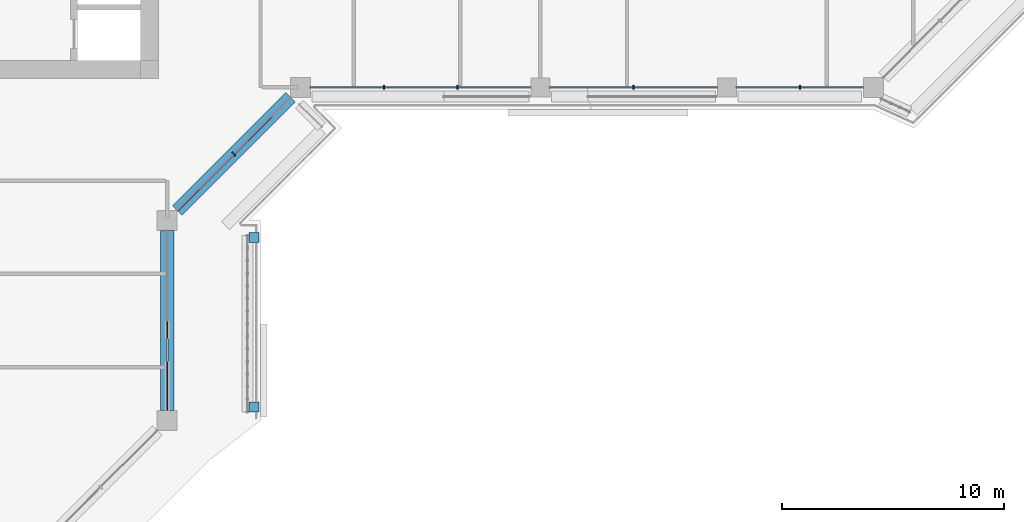
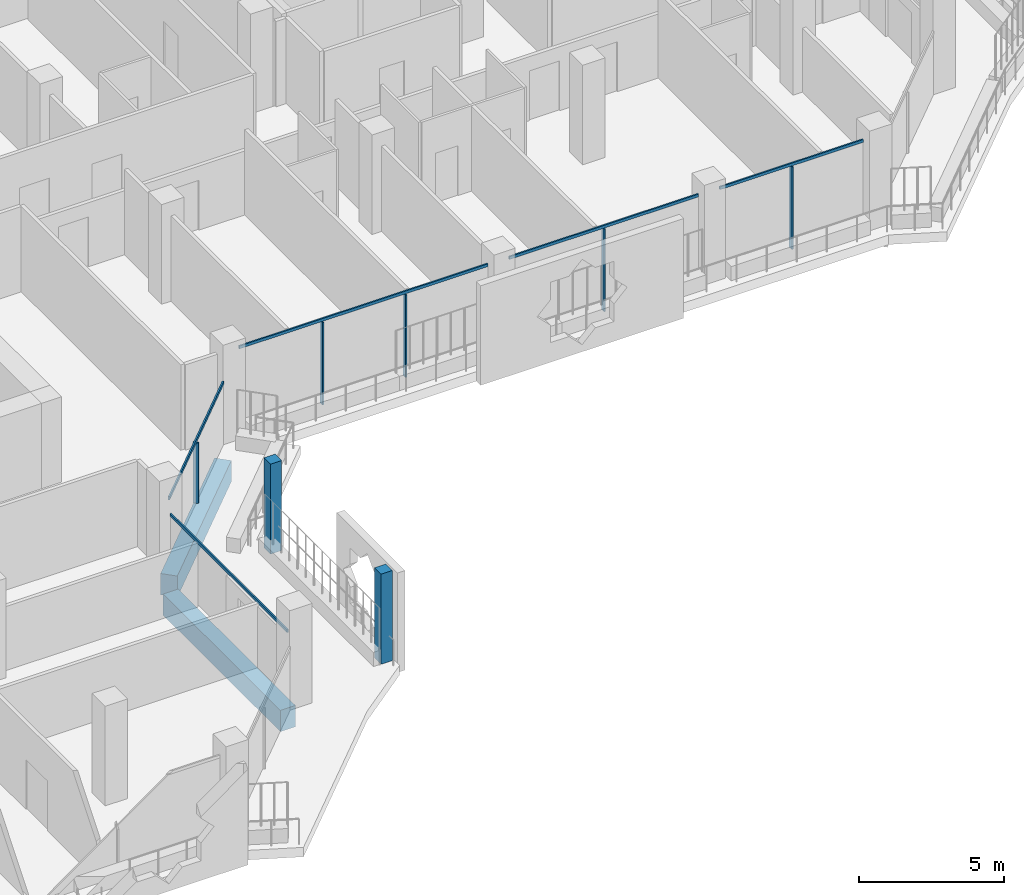
# One storey, part 4 of 22: 12 members, 2 beams, 4 elements without a shape of their own.
"""IFC4 building model written with IfcOpenShell, lengths in metres."""

from ifc_helpers import new_model, si_unit, direction, frame, origin, origin_2d, place, context, subcontext, project, spatial, rectangle, extrude, material, layer, layer_set, material_profile, profile_set, type_object, element, aggregate, save


model = new_model("IFC4")

# Units and contexts
model_context = context("Model", 3, precision=1e-05, world=origin(), true_north=direction((0.0, 1.0)))
body_context = subcontext(model_context, "Body", "Model", "MODEL_VIEW")
ifc_project = project(units=[si_unit("LENGTHUNIT", "METRE"), si_unit("AREAUNIT", "SQUARE_METRE"), si_unit("VOLUMEUNIT", "CUBIC_METRE"), si_unit("PLANEANGLEUNIT", "RADIAN"), si_unit("MASSUNIT", "GRAM", prefix="KILO")], contexts=[model_context])

# Site, building, storey
site_placement = place(None, origin())
site = spatial("IfcSite", under=ifc_project, at=site_placement, CompositionType="ELEMENT")
building_placement = place(site_placement, origin())
building = spatial("IfcBuilding", under=site, at=building_placement, Name="Kawkab Arch Medical Tower", CompositionType="ELEMENT")
storey_placement = place(building_placement, frame((0.0, 0.0, 251.60009765625)))
storey = spatial("IfcBuildingStorey", under=building, at=storey_placement, Name="L58", CompositionType="ELEMENT", Elevation=251.60009765625)

# Curtain wall, members
ifc_material_1 = material(Name="Bronze anodised aluminium curtain wall frame", Category="aluminium")
ifc_layer_1 = layer(ifc_material_1, 0.159912109375)
ifc_layer_set_1 = layer_set([ifc_layer_1], Name="Bronze anodised aluminium curtain wall frame")
curtain_wall_type_1 = type_object("IfcCurtainWallType", Name="CW1 ward curtain wall", PredefinedType="NOTDEFINED", material=ifc_layer_set_1)
placement = place(storey_placement, origin())
curtain_wall_1 = element("IfcCurtainWall", 1, at=placement, inside=storey, type_object=curtain_wall_type_1, Name="CW1 Ward curtain wall R07", PredefinedType="NOTDEFINED")
ifc_material_2 = material(Name="Bronze anodised aluminium curtain wall frame", Category="aluminium")
ifc_material_profile_1 = material_profile(ifc_material_2, rectangle(XDim=0.179931640625, YDim=0.06005859375, at=origin_2d()), Name="AL 60x180")
ifc_profile_set_1 = profile_set([ifc_material_profile_1], Name="Bronze anodised aluminium curtain wall frame")
member_type_1 = type_object("IfcMemberType", Name="CW1 mullion 60 x 180", PredefinedType="MULLION", material=ifc_profile_set_1)
member_1_placement = place(storey_placement, frame((34.958251953125, -25.199951171875, 0.0), z_axis=(0.0, 0.0, 1.0), x_axis=(0.0, 1.0, 0.0)))
member_1 = element("IfcMember", 2, at=member_1_placement, type_object=member_type_1, Name="CW1 mullion 1.1", PredefinedType="MULLION", context=body_context, shape_type="SweptSolid", body=[
    extrude(rectangle(XDim=0.179931640625, YDim=0.06005859375, at=origin_2d()), origin(), (0.0, 0.0, 1.0), 3.47998046875),
])
member_2_placement = place(storey_placement, frame((38.2666015625, -25.199951171875, 0.0), z_axis=(0.0, 0.0, 1.0), x_axis=(0.0, 1.0, 0.0)))
member_2 = element("IfcMember", 3, at=member_2_placement, type_object=member_type_1, Name="CW1 mullion 1.2", PredefinedType="MULLION", context=body_context, shape_type="SweptSolid", body=[
    extrude(rectangle(XDim=0.179931640625, YDim=0.06005859375, at=origin_2d()), origin(), (0.0, 0.0, 1.0), 3.47998046875),
])
member_3_placement = place(storey_placement, frame((46.199951171875, -25.199951171875, 0.0), z_axis=(0.0, 0.0, 1.0), x_axis=(0.0, 1.0, 0.0)))
member_3 = element("IfcMember", 4, at=member_3_placement, type_object=member_type_1, Name="CW1 mullion 2.1", PredefinedType="MULLION", context=body_context, shape_type="SweptSolid", body=[
    extrude(rectangle(XDim=0.179931640625, YDim=0.06005859375, at=origin_2d()), origin(), (0.0, 0.0, 1.0), 3.47998046875),
])
member_4_placement = place(storey_placement, frame((53.6875, -25.199951171875, 0.0), z_axis=(0.0, 0.0, 1.0), x_axis=(0.0, 1.0, 0.0)))
member_4 = element("IfcMember", 5, at=member_4_placement, type_object=member_type_1, Name="CW1 mullion 3.1", PredefinedType="MULLION", context=body_context, shape_type="SweptSolid", body=[
    extrude(rectangle(XDim=0.179931640625, YDim=0.06005859375, at=origin_2d()), origin(), (0.0, 0.0, 1.0), 3.47998046875),
])

# Curtain wall, member
curtain_wall_2 = element("IfcCurtainWall", 6, at=placement, inside=storey, type_object=curtain_wall_type_1, Name="CW1 Ward curtain wall R05", PredefinedType="NOTDEFINED")
ifc_material_3 = material(Name="Bronze anodised aluminium curtain wall frame", Category="aluminium")
ifc_material_profile_2 = material_profile(ifc_material_3, rectangle(XDim=0.06005859375, YDim=0.1201171875, at=origin_2d()), Name="AL 60x120")
ifc_profile_set_2 = profile_set([ifc_material_profile_2], Name="Bronze anodised aluminium curtain wall frame")
member_type_2 = type_object("IfcMemberType", Name="CW1 transom 120 x 60", PredefinedType="USERDEFINED", material=ifc_profile_set_2)
member_5_placement = place(storey_placement, frame((25.199951171875, -39.75, 2.639892578125), z_axis=(0.0, 1.0, 0.0), x_axis=(-1.0, 0.0, 0.0)))
member_5 = element("IfcMember", 7, at=member_5_placement, type_object=member_type_2, Name="CW1 transom 1", ObjectType="TRANSOM", PredefinedType="USERDEFINED", context=body_context, shape_type="SweptSolid", body=[
    extrude(rectangle(XDim=0.06005859375, YDim=0.1201171875, at=origin_2d()), origin(), (0.0, 0.0, 1.0), 8.10009765625),
])
aggregate(curtain_wall_2, [member_5])

# Member
member_6_placement = place(storey_placement, frame((31.64990234375, -25.199951171875, 3.539794921875), z_axis=(1.0, 0.0, 0.0), x_axis=(0.0, 1.0, 0.0)))
member_6 = element("IfcMember", 8, at=member_6_placement, type_object=member_type_2, Name="CW1 transom 1", ObjectType="TRANSOM", PredefinedType="USERDEFINED", context=body_context, shape_type="SweptSolid", body=[
    extrude(rectangle(XDim=0.06005859375, YDim=0.1201171875, at=origin_2d()), origin(), (0.0, 0.0, 1.0), 9.925048828125),
])

member_7_placement = place(storey_placement, frame((42.425048828125, -25.199951171875, 3.539794921875), z_axis=(1.0, 0.0, 0.0), x_axis=(0.0, 1.0, 0.0)))
member_7 = element("IfcMember", 9, at=member_7_placement, type_object=member_type_2, Name="CW1 transom 2", ObjectType="TRANSOM", PredefinedType="USERDEFINED", context=body_context, shape_type="SweptSolid", body=[
    extrude(rectangle(XDim=0.06005859375, YDim=0.1201171875, at=origin_2d()), origin(), (0.0, 0.0, 1.0), 7.550048828125),
])

member_8_placement = place(storey_placement, frame((50.824951171875, -25.199951171875, 3.539794921875), z_axis=(1.0, 0.0, 0.0), x_axis=(0.0, 1.0, 0.0)))
member_8 = element("IfcMember", 10, at=member_8_placement, type_object=member_type_2, Name="CW1 transom 3", ObjectType="TRANSOM", PredefinedType="USERDEFINED", context=body_context, shape_type="SweptSolid", body=[
    extrude(rectangle(XDim=0.06005859375, YDim=0.1201171875, at=origin_2d()), origin(), (0.0, 0.0, 1.0), 5.72509765625),
])

aggregate(curtain_wall_1, [member_6, member_1, member_2, member_7, member_3, member_8, member_4])

# Curtain wall, members
ifc_material_4 = material(Name="Bronze anodised aluminium curtain wall frame", Category="aluminium")
ifc_layer_2 = layer(ifc_material_4, 0.159912109375)
ifc_layer_set_2 = layer_set([ifc_layer_2], Name="Bronze anodised aluminium curtain wall frame")
curtain_wall_type_2 = type_object("IfcCurtainWallType", Name="CW2 chamfer curtain wall", PredefinedType="NOTDEFINED", material=ifc_layer_set_2)
curtain_wall_3 = element("IfcCurtainWall", 11, at=placement, inside=storey, type_object=curtain_wall_type_2, Name="CW2 Chamfer curtain wall R06", PredefinedType="NOTDEFINED")
ifc_material_5 = material(Name="Bronze anodised aluminium curtain wall frame", Category="aluminium")
ifc_material_profile_3 = material_profile(ifc_material_5, rectangle(XDim=0.199951171875, YDim=0.06005859375, at=origin_2d()), Name="AL 60x200")
ifc_profile_set_3 = profile_set([ifc_material_profile_3], Name="Bronze anodised aluminium curtain wall frame")
member_type_3 = type_object("IfcMemberType", Name="CW2 mullion 60 x 200", PredefinedType="MULLION", material=ifc_profile_set_3)
member_9_placement = place(storey_placement, frame((28.199951171875, -28.199951171875, 0.0), z_axis=(0.0, 0.0, 1.0), x_axis=(-0.707106781187, 0.707106781187, 0.0)))
member_9 = element("IfcMember", 12, at=member_9_placement, type_object=member_type_3, Name="CW2 mullion 1.1", PredefinedType="MULLION", context=body_context, shape_type="SweptSolid", body=[
    extrude(rectangle(XDim=0.199951171875, YDim=0.06005859375, at=origin_2d()), origin(), (0.0, 0.0, 1.0), 2.559814453125),
])
ifc_material_6 = material(Name="Bronze anodised aluminium curtain wall frame", Category="aluminium")
ifc_material_profile_4 = material_profile(ifc_material_6, rectangle(XDim=0.06005859375, YDim=0.139892578125, at=origin_2d()), Name="AL 60x140")
ifc_profile_set_4 = profile_set([ifc_material_profile_4], Name="Bronze anodised aluminium curtain wall frame")
member_type_4 = type_object("IfcMemberType", Name="CW2 transom 140 x 60", PredefinedType="USERDEFINED", material=ifc_profile_set_4)
member_10_placement = place(storey_placement, frame((25.64990234375, -30.75, 2.6298828125), z_axis=(0.707106781187, 0.707106781187, 0.0), x_axis=(-0.707106781187, 0.707106781187, 0.0)))
member_10 = element("IfcMember", 13, at=member_10_placement, type_object=member_type_4, Name="CW2 transom 1", ObjectType="TRANSOM", PredefinedType="USERDEFINED", context=body_context, shape_type="SweptSolid", body=[
    extrude(rectangle(XDim=0.06005859375, YDim=0.139892578125, at=origin_2d()), origin(), (0.0, 0.0, 1.0), 7.212646484375),
])
aggregate(curtain_wall_3, [member_10, member_9])

ifc_material_7 = material(Name="Bronze anodised aluminium climber frame, planted", Category="aluminium")
ifc_layer_3 = layer(ifc_material_7, 0.449951171875)
ifc_layer_set_3 = layer_set([ifc_layer_3], Name="Bronze anodised aluminium climber frame, planted")
curtain_wall_type_3 = type_object("IfcCurtainWallType", Name="Planted climber frame", PredefinedType="NOTDEFINED", material=ifc_layer_set_3)
curtain_wall_4 = element("IfcCurtainWall", 14, at=placement, inside=storey, type_object=curtain_wall_type_3, Name="Planted climber frame L58", PredefinedType="NOTDEFINED")
ifc_material_8 = material(Name="Bronze anodised aluminium climber frame, planted", Category="aluminium")
ifc_material_profile_5 = material_profile(ifc_material_8, rectangle(XDim=0.449951171875, YDim=0.449951171875, at=origin_2d()), Name="Post 450x450")
ifc_profile_set_5 = profile_set([ifc_material_profile_5], Name="Bronze anodised aluminium climber frame, planted")
member_type_5 = type_object("IfcMemberType", Name="Planted climber post 450 x 450", PredefinedType="MULLION", material=ifc_profile_set_5)
member_11_placement = place(storey_placement, frame((29.10009765625, -31.949951171875, 0.0), z_axis=(0.0, 0.0, 1.0), x_axis=(1.0, 0.0, 0.0)))
member_11 = element("IfcMember", 15, at=member_11_placement, type_object=member_type_5, Name="Planted climber post L58.LOG-01-01.3", PredefinedType="MULLION", context=body_context, shape_type="SweptSolid", body=[
    extrude(rectangle(XDim=0.449951171875, YDim=0.449951171875, at=origin_2d()), origin(), (0.0, 0.0, 1.0), 3.7998046875),
])
member_12_placement = place(storey_placement, frame((29.10009765625, -39.60302734375, 0.0), z_axis=(0.0, 0.0, 1.0), x_axis=(1.0, 0.0, 0.0)))
member_12 = element("IfcMember", 16, at=member_12_placement, type_object=member_type_5, Name="Planted climber post L58.LOG-01-01.4", PredefinedType="MULLION", context=body_context, shape_type="SweptSolid", body=[
    extrude(rectangle(XDim=0.449951171875, YDim=0.449951171875, at=origin_2d()), origin(), (0.0, 0.0, 1.0), 3.7998046875),
])
aggregate(curtain_wall_4, [member_11, member_12])

# Beams
ifc_material_9 = material(Name="Concrete C45/55", Category="concrete")
ifc_material_profile_6 = material_profile(ifc_material_9, rectangle(XDim=0.60009765625, YDim=0.89990234375, at=origin_2d()), Name="RC 600x900")
ifc_profile_set_6 = profile_set([ifc_material_profile_6], Name="Concrete C45/55")
beam_type = type_object("IfcBeamType", Name="RC 600x900 beam C45/55", PredefinedType="BEAM", material=ifc_profile_set_6)
beam_1_placement = place(storey_placement, frame((30.75, -25.64990234375, -1.050048828125), z_axis=(-0.707106781187, -0.707106781187, 0.0), x_axis=(0.707106781187, -0.707106781187, 0.0)))
element("IfcBeam", 17, at=beam_1_placement, inside=storey, type_object=beam_type, Name="Overhang edge beam L58-04", PredefinedType="BEAM", context=body_context, shape_type="SweptSolid", body=[
    extrude(rectangle(XDim=0.60009765625, YDim=0.89990234375, at=origin_2d()), origin(), (0.0, 0.0, 1.0), 7.212646484375),
])
beam_2_placement = place(storey_placement, frame((25.199951171875, -31.64990234375, -1.050048828125), z_axis=(0.0, -1.0, 0.0), x_axis=(1.0, 0.0, 0.0)))
element("IfcBeam", 18, at=beam_2_placement, inside=storey, type_object=beam_type, Name="Overhang edge beam L58-05", PredefinedType="BEAM", context=body_context, shape_type="SweptSolid", body=[
    extrude(rectangle(XDim=0.60009765625, YDim=0.89990234375, at=origin_2d()), origin(), (0.0, 0.0, 1.0), 8.10009765625),
])

save(model, "model.ifc")
